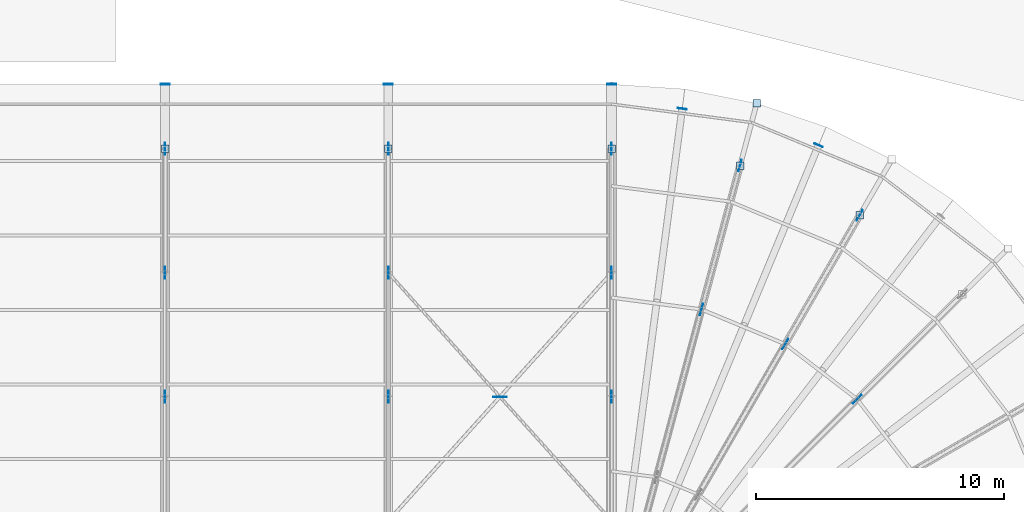
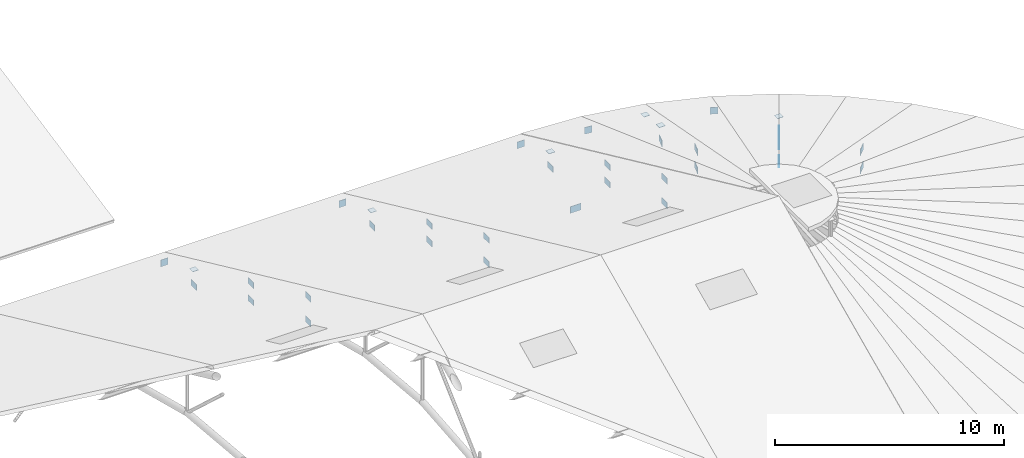
# One storey, part 97 of 107: 35 plates.
"""IFC4 building model written with IfcOpenShell, lengths in metres."""

from ifc_helpers import new_model, si_unit, derived_unit, direction, frame, origin, origin_2d, place, context, subcontext, project, spatial, rectangle, extrude, material, layer, layer_set, type_object, element, save


model = new_model("IFC4")

# Units and contexts
model_context = context("Model", 3, precision=1e-05, world=origin(), true_north=direction((0.0, 1.0)))
body_context = subcontext(model_context, "Body", "Model", "MODEL_VIEW")
ifc_project = project(units=[si_unit("LENGTHUNIT", "METRE"), si_unit("AREAUNIT", "SQUARE_METRE"), si_unit("VOLUMEUNIT", "CUBIC_METRE"), si_unit("PLANEANGLEUNIT", "RADIAN"), si_unit("MASSUNIT", "GRAM", prefix="KILO"), si_unit("THERMODYNAMICTEMPERATUREUNIT", "KELVIN"), si_unit("TIMEUNIT", "SECOND"), derived_unit("THERMALTRANSMITTANCEUNIT", [(si_unit("MASSUNIT", "GRAM", prefix="KILO"), 1), (si_unit("THERMODYNAMICTEMPERATUREUNIT", "KELVIN"), -1), (si_unit("TIMEUNIT", "SECOND"), -3)])], contexts=[model_context])

# Site, building, storey
site_placement = place(None, origin())
site = spatial("IfcSite", under=ifc_project, at=site_placement, CompositionType="ELEMENT")
building_placement = place(site_placement, origin())
building = spatial("IfcBuilding", under=site, at=building_placement, Name="Cambertide Market Hall", CompositionType="ELEMENT")
storey_placement = place(building_placement, frame((0.0, 0.0, 18.300048828125)))
storey = spatial("IfcBuildingStorey", under=building, at=storey_placement, Name="RF", CompositionType="ELEMENT", Elevation=18.300048828125)

# Plates
ifc_material_1 = material(Name="Steel S355", Category="steel")
ifc_layer_1 = layer(ifc_material_1, 0.013916015625, Name="Steel End Cap Plate EC-02")
ifc_layer_set_1 = layer_set([ifc_layer_1], Name="Steel S355")
plate_type_1 = type_object("IfcPlateType", Name="Steel End Cap Plate EC-02", PredefinedType="USERDEFINED", material=ifc_layer_set_1)
for number, where, z_axis, x_axis, name in (
    (1, (110.849365234375, 93.829833984375, -10.7529296875), (0.0, 0.0, 1.0), (1.0, 0.0, 0.0), "EC-CONE-E-22"),
    (2, (87.0, 92.0, -9.55712890625), (0.0, 0.0, 1.0), (1.0, 0.0, 0.0), "High-Bay Brace Connection End Cap Plate EC-BRN-066"),
    (3, (96.0, 92.0, -9.55712890625), (0.0, 0.0, 1.0), (1.0, 0.0, 0.0), "High-Bay Brace Connection End Cap Plate EC-BRN-077"),
    (4, (105.0, 92.0, -9.55712890625), (0.0, 0.0, 1.0), (1.0, 0.0, 0.0), "High-Bay Brace Connection End Cap Plate EC-BRN-088"),
    (5, (115.0, 89.320556640625, -9.55712890625), (0.0, 0.0, 1.0), (1.0, 0.0, 0.0), "High-Bay Brace Connection End Cap Plate EC-BRN-220"),
    (6, (110.17626953125, 91.318603515625, -9.55712890625), (0.0, 0.0, 1.0), (1.0, 0.0, 0.0), "High-Bay Brace Connection End Cap Plate EC-BRN-226"),
):
    element("IfcPlate", number, at=place(storey_placement, frame(where, z_axis=z_axis, x_axis=x_axis)), inside=storey, type_object=plate_type_1, Name=name, ObjectType="END CAP PLATE", PredefinedType="USERDEFINED", context=body_context, shape_type="SweptSolid", body=[
        extrude(rectangle(XDim=0.300048828125, YDim=0.300048828125, at=origin_2d()), origin(), (0.0, 0.0, 1.0), 0.013916015625),
    ])
ifc_material_2 = material(Name="Steel S355", Category="steel")
ifc_layer_2 = layer(ifc_material_2, 0.02392578125, Name="Steel End Cap Plate EC-03E")
ifc_layer_set_2 = layer_set([ifc_layer_2], Name="Steel S355")
plate_type_2 = type_object("IfcPlateType", Name="Steel End Cap Plate EC-03E", PredefinedType="USERDEFINED", material=ifc_layer_set_2)
for number, where, z_axis, x_axis, name in (
    (7, (87.0, 94.60009765625, -10.92626953125), (0.0, 0.0, 1.0), (1.0, 0.0, 0.0), "Eave Overhang End Cap Plate 6-N"),
    (8, (96.0, 94.60009765625, -10.92626953125), (0.0, 0.0, 1.0), (1.0, 0.0, 0.0), "Eave Overhang End Cap Plate 7-N"),
    (9, (105.0, 94.60009765625, -10.92626953125), (0.0, 0.0, 1.0), (1.0, 0.0, 0.0), "Eave Overhang End Cap Plate 8-N"),
):
    element("IfcPlate", number, at=place(storey_placement, frame(where, z_axis=z_axis, x_axis=x_axis)), inside=storey, type_object=plate_type_2, Name=name, ObjectType="END CAP PLATE", PredefinedType="USERDEFINED", context=body_context, shape_type="SweptSolid", body=[
        extrude(rectangle(XDim=0.360107421875, YDim=0.02392578125, at=origin_2d()), origin(), (0.0, 0.0, 1.0), 0.360107421875),
    ])
for number, where, z_axis, x_axis, name in (
    (10, (113.342529296875, 92.140625, -10.55810546875), (0.0, 0.0, 1.0), (0.382683432365, 0.923879532511, 0.0), "Eave Rafter End Cap Plate E-21"),
    (11, (107.845458984375, 93.613525390625, -10.55810546875), (0.0, 0.0, 1.0), (0.13052619222, 0.991444861374, 0.0), "Eave Rafter End Cap Plate E-23"),
):
    element("IfcPlate", number, at=place(storey_placement, frame(where, z_axis=z_axis, x_axis=x_axis)), inside=storey, type_object=plate_type_2, Name=name, ObjectType="END CAP PLATE", PredefinedType="USERDEFINED", context=body_context, shape_type="SweptSolid", body=[
        extrude(rectangle(XDim=0.02392578125, YDim=0.360107421875, at=origin_2d()), origin(), (0.0, 0.0, 1.0), 0.360107421875),
    ])
ifc_material_3 = material(Name="Steel S355", Category="steel")
ifc_layer_3 = layer(ifc_material_3, 0.02001953125, Name="Steel Gusset Plate GP-01")
ifc_layer_set_3 = layer_set([ifc_layer_3], Name="Steel S355")
plate_type_3 = type_object("IfcPlateType", Name="Steel Gusset Plate GP-01", PredefinedType="USERDEFINED", material=ifc_layer_set_3)
plate_placement = place(storey_placement, frame((100.5, 82.0, -5.1298828125), z_axis=(0.0, 0.0, 1.0), x_axis=(1.0, 0.0, 0.0)))
element("IfcPlate", 12, at=plate_placement, inside=storey, type_object=plate_type_3, Name="Wind X-Brace Crossing Gusset Plate 7-N", ObjectType="GUSSET PLATE", PredefinedType="USERDEFINED", context=body_context, shape_type="SweptSolid", body=[
    extrude(rectangle(XDim=0.5400390625, YDim=0.02001953125, at=origin_2d()), origin(), (0.0, 0.0, 1.0), 0.360107421875),
])
ifc_material_4 = material(Name="Steel S355", Category="steel")
ifc_layer_4 = layer(ifc_material_4, 0.01806640625, Name="Steel Gusset Plate GP-02")
ifc_layer_set_4 = layer_set([ifc_layer_4], Name="Steel S355")
plate_type_4 = type_object("IfcPlateType", Name="Steel Gusset Plate GP-02", PredefinedType="USERDEFINED", material=ifc_layer_set_4)
for number, where, z_axis, x_axis, name in (
    (13, (87.0, 82.0, -5.10986328125), (0.0, 0.0, 1.0), (1.0, 0.0, 0.0), "Arch Truss 6 Node Gusset Plate 6"),
    (14, (87.0, 87.0, -7.41015625), (0.0, 0.0, 1.0), (1.0, 0.0, 0.0), "Arch Truss 6 Node Gusset Plate 7"),
    (15, (96.0, 82.0, -5.10986328125), (0.0, 0.0, 1.0), (1.0, 0.0, 0.0), "Arch Truss 7 Node Gusset Plate 6"),
    (16, (96.0, 87.0, -7.41015625), (0.0, 0.0, 1.0), (1.0, 0.0, 0.0), "Arch Truss 7 Node Gusset Plate 7"),
    (17, (105.0, 82.0, -5.10986328125), (0.0, 0.0, 1.0), (1.0, 0.0, 0.0), "Arch Truss 8 Node Gusset Plate 6"),
    (18, (105.0, 87.0, -7.41015625), (0.0, 0.0, 1.0), (1.0, 0.0, 0.0), "Arch Truss 8 Node Gusset Plate 7"),
):
    element("IfcPlate", number, at=place(storey_placement, frame(where, z_axis=z_axis, x_axis=x_axis)), inside=storey, type_object=plate_type_4, Name=name, ObjectType="GUSSET PLATE", PredefinedType="USERDEFINED", context=body_context, shape_type="SweptSolid", body=[
        extrude(rectangle(XDim=0.01806640625, YDim=0.47998046875, at=origin_2d()), origin(), (0.0, 0.0, 1.0), 0.320068359375),
    ])
for number, where, z_axis, x_axis, name in (
    (19, (87.0, 82.0, -6.4111328125), (0.0, 0.0, 1.0), (0.0, 1.0, 0.0), "High-Bay Brace Connection Gusset Plate GP-BRN-061"),
    (20, (87.0, 87.0, -8.3369140625), (0.0, 0.0, 1.0), (0.0, 1.0, 0.0), "High-Bay Brace Connection Gusset Plate GP-BRN-062"),
    (21, (87.0, 92.0, -10.5400390625), (0.0, 0.0, 1.0), (0.0, 1.0, 0.0), "High-Bay Brace Connection Gusset Plate GP-BRN-063"),
    (22, (96.0, 82.0, -6.4111328125), (0.0, 0.0, 1.0), (0.0, 1.0, 0.0), "High-Bay Brace Connection Gusset Plate GP-BRN-072"),
    (23, (96.0, 87.0, -8.3369140625), (0.0, 0.0, 1.0), (0.0, 1.0, 0.0), "High-Bay Brace Connection Gusset Plate GP-BRN-073"),
    (24, (96.0, 92.0, -10.5400390625), (0.0, 0.0, 1.0), (0.0, 1.0, 0.0), "High-Bay Brace Connection Gusset Plate GP-BRN-074"),
    (25, (105.0, 82.0, -6.4111328125), (0.0, 0.0, 1.0), (0.0, 1.0, 0.0), "High-Bay Brace Connection Gusset Plate GP-BRN-083"),
    (26, (105.0, 87.0, -8.3369140625), (0.0, 0.0, 1.0), (0.0, 1.0, 0.0), "High-Bay Brace Connection Gusset Plate GP-BRN-084"),
    (27, (105.0, 92.0, -10.5400390625), (0.0, 0.0, 1.0), (0.0, 1.0, 0.0), "High-Bay Brace Connection Gusset Plate GP-BRN-085"),
    (28, (114.8994140625, 81.8994140625, -7.916015625), (0.0, 0.0, 1.0), (-0.707106781187, -0.707106781187, 0.0), "High-Bay Brace Connection Gusset Plate GP-BRN-210"),
    (29, (114.8994140625, 81.8994140625, -6.9501953125), (0.0, 0.0, 1.0), (-0.707106781187, -0.707106781187, 0.0), "High-Bay Brace Connection Gusset Plate GP-BRN-213"),
    (30, (112.0, 84.124267578125, -7.916015625), (0.0, 0.0, 1.0), (-0.5, -0.866025403784, 0.0), "High-Bay Brace Connection Gusset Plate GP-BRN-216"),
    (31, (115.0, 89.320556640625, -10.5400390625), (0.0, 0.0, 1.0), (-0.5, -0.866025403784, 0.0), "High-Bay Brace Connection Gusset Plate GP-BRN-218"),
    (32, (112.0, 84.124267578125, -6.9501953125), (0.0, 0.0, 1.0), (-0.5, -0.866025403784, 0.0), "High-Bay Brace Connection Gusset Plate GP-BRN-219"),
    (33, (108.62353515625, 85.52294921875, -7.916015625), (0.0, 0.0, 1.0), (-0.258819045103, -0.965925826289, 0.0), "High-Bay Brace Connection Gusset Plate GP-BRN-222"),
    (34, (110.17626953125, 91.318603515625, -10.5400390625), (0.0, 0.0, 1.0), (-0.258819045103, -0.965925826289, 0.0), "High-Bay Brace Connection Gusset Plate GP-BRN-224"),
    (35, (108.62353515625, 85.52294921875, -6.9501953125), (0.0, 0.0, 1.0), (-0.258819045103, -0.965925826289, 0.0), "High-Bay Brace Connection Gusset Plate GP-BRN-225"),
):
    element("IfcPlate", number, at=place(storey_placement, frame(where, z_axis=z_axis, x_axis=x_axis)), inside=storey, type_object=plate_type_4, Name=name, ObjectType="GUSSET PLATE", PredefinedType="USERDEFINED", context=body_context, shape_type="SweptSolid", body=[
        extrude(rectangle(XDim=0.47998046875, YDim=0.01806640625, at=origin_2d()), origin(), (0.0, 0.0, 1.0), 0.320068359375),
    ])

save(model, "model.ifc")
